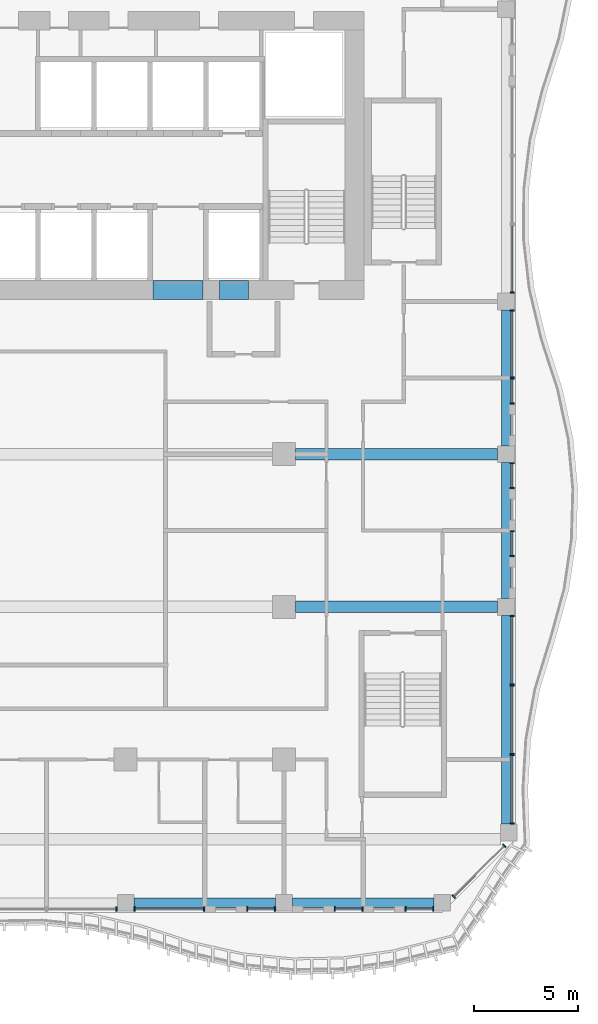
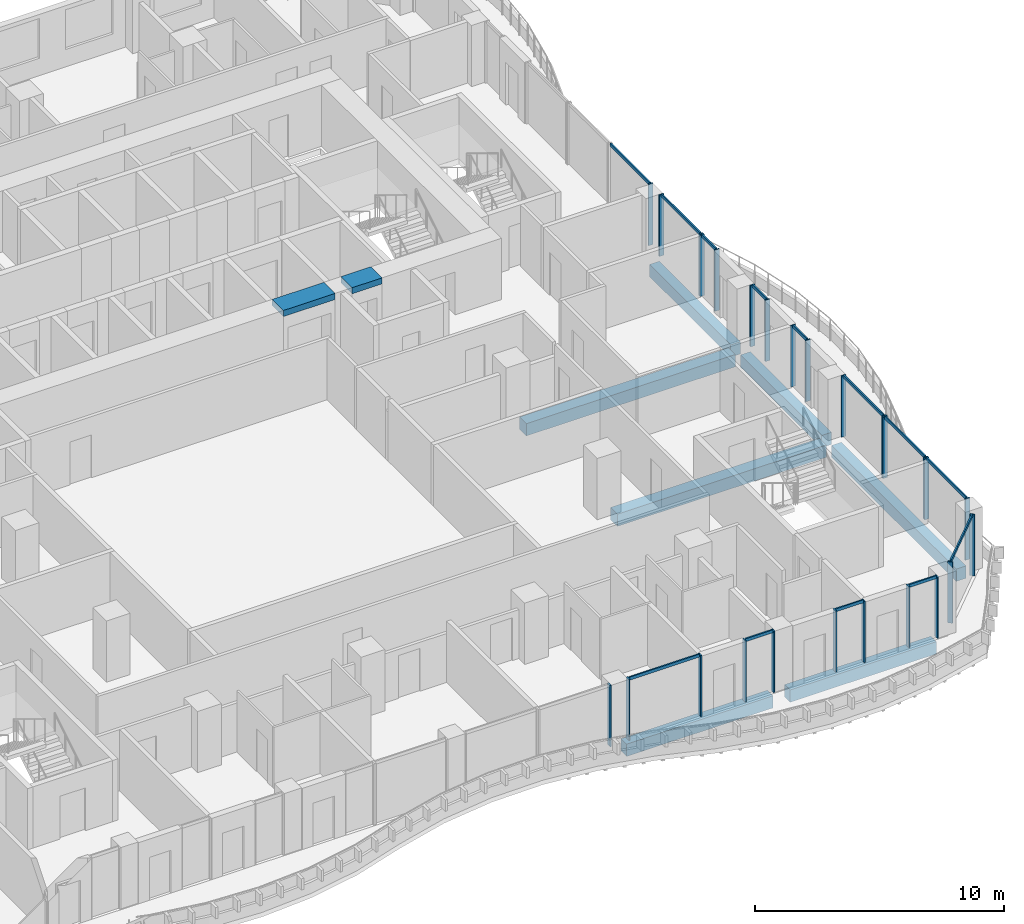
# One storey, part 6 of 23: 39 members, 9 beams, 14 elements without a shape of their own.
"""IFC4 building model written with IfcOpenShell, lengths in metres."""

from ifc_helpers import new_model, si_unit, direction, frame, origin, origin_2d, place, context, subcontext, project, spatial, rectangle, extrude, source, transform, mapped, material, material_profile, profile_set, type_object, element, aggregate, save


model = new_model("IFC4")

# Units and contexts
model_context = context("Model", 3, precision=1e-05, world=origin(), true_north=direction((0.0, 1.0)))
body_context = subcontext(model_context, "Body", "Model", "MODEL_VIEW")
ifc_project = project(units=[si_unit("LENGTHUNIT", "METRE"), si_unit("AREAUNIT", "SQUARE_METRE"), si_unit("VOLUMEUNIT", "CUBIC_METRE"), si_unit("PLANEANGLEUNIT", "RADIAN"), si_unit("MASSUNIT", "GRAM", prefix="KILO")], contexts=[model_context])

# Site, building, storey
site_placement = place(None, origin())
site = spatial("IfcSite", under=ifc_project, at=site_placement, CompositionType="ELEMENT")
building_placement = place(site_placement, origin())
building = spatial("IfcBuilding", under=site, at=building_placement, Name="Kilnfold Tower and Market Hall", CompositionType="ELEMENT")
storey_placement = place(building_placement, frame((0.0, 0.0, 160.89990234375)))
storey = spatial("IfcBuildingStorey", under=building, at=storey_placement, Name="L37", CompositionType="ELEMENT", Elevation=160.89990234375)

# Beams
ifc_material_1 = material(Name="Concrete C45", Category="concrete")
ifc_material_profile_1 = material_profile(ifc_material_1, rectangle(XDim=0.449951171875, YDim=0.60009765625, at=origin_2d()), Name="RC 450x600")
ifc_profile_set_1 = profile_set([ifc_material_profile_1], Name="Concrete C45")
beam_type_1 = type_object("IfcBeamType", Name="EDGE BEAM 450X600 C45", PredefinedType="BEAM", material=ifc_profile_set_1)
shared_shape_1 = source(origin(), body_context, "Body", "SweptSolid", [
    extrude(rectangle(XDim=0.449951171875, YDim=0.60009765625, at=origin_2d()), origin(), (0.0, 0.0, 1.0), 6.783447265625),
])
beam_1_placement = place(storey_placement, frame((14.566650390625, -20.800048828125, -0.579833984375), z_axis=(1.0, 0.0, 0.0), x_axis=(0.0, 1.0, 0.0)))
element("IfcBeam", 1, at=beam_1_placement, inside=storey, type_object=beam_type_1, Name="Beam EB600-B4.81", PredefinedType="BEAM", context=body_context, shape_type="MappedRepresentation", body=[
    mapped(shared_shape_1, transform((0.0, 0.0, 0.0))),
])
shared_shape_2 = source(origin(), body_context, "Body", "SweptSolid", [
    extrude(rectangle(XDim=0.449951171875, YDim=0.60009765625, at=origin_2d()), origin(), (0.0, 0.0, 1.0), 6.783203125),
])
beam_2_placement = place(storey_placement, frame((6.9833984375, -20.800048828125, -0.579833984375), z_axis=(1.0, 0.0, 0.0), x_axis=(0.0, 1.0, 0.0)))
element("IfcBeam", 2, at=beam_2_placement, inside=storey, type_object=beam_type_1, Name="Beam EB600-B4.80", PredefinedType="BEAM", context=body_context, shape_type="MappedRepresentation", body=[
    mapped(shared_shape_2, transform((0.0, 0.0, 0.0))),
])
ifc_material_2 = material(Name="Concrete C45", Category="concrete")
ifc_material_profile_2 = material_profile(ifc_material_2, rectangle(XDim=0.550048828125, YDim=0.60009765625, at=origin_2d()), Name="RC 550x600")
ifc_profile_set_2 = profile_set([ifc_material_profile_2], Name="Concrete C45")
beam_type_2 = type_object("IfcBeamType", Name="BEAM 550X600 C45", PredefinedType="BEAM", material=ifc_profile_set_2)
shared_shape_3 = source(origin(), body_context, "Body", "SweptSolid", [
    extrude(rectangle(XDim=0.550048828125, YDim=0.60009765625, at=origin_2d()), origin(), (0.0, 0.0, 1.0), 9.68310546875),
])
for number, where, z_axis, x_axis, name in (
    (3, (14.716796875, -6.6201171875, -0.579833984375), (1.0, 0.0, 0.0), (0.0, 1.0, 0.0), "Beam BB600-B4.84"),
    (4, (14.716796875, 0.68994140625, -0.579833984375), (1.0, 0.0, 0.0), (0.0, 1.0, 0.0), "Beam BB600-B4.86"),
):
    element("IfcBeam", number, at=place(storey_placement, frame(where, z_axis=z_axis, x_axis=x_axis)), inside=storey, type_object=beam_type_2, Name=name, PredefinedType="BEAM", context=body_context, shape_type="MappedRepresentation", body=[
        mapped(shared_shape_3, transform((0.0, 0.0, 0.0))),
    ])
shared_shape_4 = source(origin(), body_context, "Body", "SweptSolid", [
    extrude(rectangle(XDim=0.449951171875, YDim=0.60009765625, at=origin_2d()), origin(), (0.0, 0.0, 1.0), 6.5126953125),
])
for number, where, z_axis, x_axis, name in (
    (5, (24.800048828125, -6.22509765625, -0.579833984375), (0.0, 1.0, 0.0), (-1.0, 0.0, 0.0), "Beam EB600-B4.101"),
    (6, (24.800048828125, 1.08740234375, -0.579833984375), (0.0, 1.0, 0.0), (-1.0, 0.0, 0.0), "Beam EB600-B4.102"),
):
    element("IfcBeam", number, at=place(storey_placement, frame(where, z_axis=z_axis, x_axis=x_axis)), inside=storey, type_object=beam_type_1, Name=name, PredefinedType="BEAM", context=body_context, shape_type="MappedRepresentation", body=[
        mapped(shared_shape_4, transform((0.0, 0.0, 0.0))),
    ])
shared_shape_5 = source(origin(), body_context, "Body", "SweptSolid", [
    extrude(rectangle(XDim=0.449951171875, YDim=0.60009765625, at=origin_2d()), origin(), (0.0, 0.0, 1.0), 10.0068359375),
])
beam_3_placement = place(storey_placement, frame((24.800048828125, -17.03173828125, -0.579833984375), z_axis=(0.0, 1.0, 0.0), x_axis=(-1.0, 0.0, 0.0)))
element("IfcBeam", 7, at=beam_3_placement, inside=storey, type_object=beam_type_1, Name="Beam EB600-B4.100", PredefinedType="BEAM", context=body_context, shape_type="MappedRepresentation", body=[
    mapped(shared_shape_5, transform((0.0, 0.0, 0.0))),
])
ifc_material_3 = material(Name="Concrete C70", Category="concrete")
ifc_material_profile_3 = material_profile(ifc_material_3, rectangle(XDim=0.89990234375, YDim=0.300048828125, at=origin_2d()), Name="RC 900x300")
ifc_profile_set_3 = profile_set([ifc_material_profile_3], Name="Concrete C70")
beam_type_3 = type_object("IfcBeamType", Name="COUPLING BEAM 900X300 C70", PredefinedType="BEAM", material=ifc_profile_set_3)
shared_shape_6 = source(origin(), body_context, "Body", "SweptSolid", [
    extrude(rectangle(XDim=0.89990234375, YDim=0.300048828125, at=origin_2d()), origin(), (0.0, 0.0, 1.0), 1.39990234375),
])
beam_4_placement = place(storey_placement, frame((11.070068359375, 8.550048828125, 2.85009765625), z_axis=(1.0, 0.0, 0.0), x_axis=(0.0, 1.0, 0.0)))
element("IfcBeam", 8, at=beam_4_placement, inside=storey, type_object=beam_type_3, Name="Coupling beam CB300-70-CORE.40", PredefinedType="BEAM", context=body_context, shape_type="MappedRepresentation", body=[
    mapped(shared_shape_6, transform((0.0, 0.0, 0.0))),
])
shared_shape_7 = source(origin(), body_context, "Body", "SweptSolid", [
    extrude(rectangle(XDim=0.89990234375, YDim=0.300048828125, at=origin_2d()), origin(), (0.0, 0.0, 1.0), 2.400146484375),
])
beam_5_placement = place(storey_placement, frame((7.889892578125, 8.550048828125, 2.85009765625), z_axis=(1.0, 0.0, 0.0), x_axis=(0.0, 1.0, 0.0)))
element("IfcBeam", 9, at=beam_5_placement, inside=storey, type_object=beam_type_3, Name="Coupling beam CB300-70-CORE.39", PredefinedType="BEAM", context=body_context, shape_type="MappedRepresentation", body=[
    mapped(shared_shape_7, transform((0.0, 0.0, 0.0))),
])

# Curtain wall, member
ifc_material_4 = material(Name="Aluminium and double glazing", Category="aluminium")
curtain_wall_type = type_object("IfcCurtainWallType", Name="CW GARDEN HOTEL WINTER GARDEN", PredefinedType="NOTDEFINED", material=ifc_material_4)
curtain_wall_1_placement = place(storey_placement, origin())
curtain_wall_1 = element("IfcCurtainWall", 10, at=curtain_wall_1_placement, inside=storey, type_object=curtain_wall_type, Name="Curtain wall CW5 L37 S", PredefinedType="NOTDEFINED")
ifc_material_5 = material(Name="Aluminium", Category="aluminium")
ifc_material_profile_4 = material_profile(ifc_material_5, rectangle(XDim=0.06494140625, YDim=0.2099609375, at=origin_2d()), Name="MULLION 65x210")
ifc_profile_set_4 = profile_set([ifc_material_profile_4], Name="Aluminium")
member_type_1 = type_object("IfcMemberType", Name="MULLION 65X210", PredefinedType="MULLION", material=ifc_profile_set_4)
shared_shape_8 = source(origin(), body_context, "Body", "SweptSolid", [
    extrude(rectangle(XDim=0.06494140625, YDim=0.2099609375, at=origin_2d()), origin(), (0.0, 0.0, 1.0), 3.0),
])
member_1_placement = place(storey_placement, frame((6.15087890625, -21.10009765625, 0.0), z_axis=(0.0, 0.0, 1.0), x_axis=(1.0, 0.0, 0.0)))
member_1 = element("IfcMember", 11, at=member_1_placement, type_object=member_type_1, Name="CW5 mullion 2", PredefinedType="MULLION", context=body_context, shape_type="MappedRepresentation", body=[
    mapped(shared_shape_8, transform((0.0, 0.0, 0.0))),
])
aggregate(curtain_wall_1, [member_1])

# Curtain wall, members
curtain_wall_2_placement = place(storey_placement, origin())
curtain_wall_2 = element("IfcCurtainWall", 12, at=curtain_wall_2_placement, inside=storey, type_object=curtain_wall_type, Name="Curtain wall CW5 L37 S", PredefinedType="NOTDEFINED")
member_2_placement = place(storey_placement, frame((7.015869140625, -21.10009765625, 0.0), z_axis=(0.0, 0.0, 1.0), x_axis=(1.0, 0.0, 0.0)))
member_2 = element("IfcMember", 13, at=member_2_placement, type_object=member_type_1, Name="CW5 mullion 1", PredefinedType="MULLION", context=body_context, shape_type="MappedRepresentation", body=[
    mapped(shared_shape_8, transform((0.0, 0.0, 0.0))),
])
member_3_placement = place(storey_placement, frame((10.342529296875, -21.10009765625, 0.0), z_axis=(0.0, 0.0, 1.0), x_axis=(1.0, 0.0, 0.0)))
member_3 = element("IfcMember", 14, at=member_3_placement, type_object=member_type_1, Name="CW5 mullion 2", PredefinedType="MULLION", context=body_context, shape_type="MappedRepresentation", body=[
    mapped(shared_shape_8, transform((0.0, 0.0, 0.0))),
])

curtain_wall_3_placement = place(storey_placement, origin())
curtain_wall_3 = element("IfcCurtainWall", 15, at=curtain_wall_3_placement, inside=storey, type_object=curtain_wall_type, Name="Curtain wall CW5 L37 S", PredefinedType="NOTDEFINED")
member_4_placement = place(storey_placement, frame((12.407470703125, -21.10009765625, 0.0), z_axis=(0.0, 0.0, 1.0), x_axis=(1.0, 0.0, 0.0)))
member_4 = element("IfcMember", 16, at=member_4_placement, type_object=member_type_1, Name="CW5 mullion 1", PredefinedType="MULLION", context=body_context, shape_type="MappedRepresentation", body=[
    mapped(shared_shape_8, transform((0.0, 0.0, 0.0))),
])
member_5_placement = place(storey_placement, frame((13.734130859375, -21.10009765625, 0.0), z_axis=(0.0, 0.0, 1.0), x_axis=(1.0, 0.0, 0.0)))
member_5 = element("IfcMember", 17, at=member_5_placement, type_object=member_type_1, Name="CW5 mullion 2", PredefinedType="MULLION", context=body_context, shape_type="MappedRepresentation", body=[
    mapped(shared_shape_8, transform((0.0, 0.0, 0.0))),
])

curtain_wall_4_placement = place(storey_placement, origin())
curtain_wall_4 = element("IfcCurtainWall", 18, at=curtain_wall_4_placement, inside=storey, type_object=curtain_wall_type, Name="Curtain wall CW5 L37 S", PredefinedType="NOTDEFINED")
member_6_placement = place(storey_placement, frame((16.59912109375, -21.10009765625, 0.0), z_axis=(0.0, 0.0, 1.0), x_axis=(1.0, 0.0, 0.0)))
member_6 = element("IfcMember", 19, at=member_6_placement, type_object=member_type_1, Name="CW5 mullion 1", PredefinedType="MULLION", context=body_context, shape_type="MappedRepresentation", body=[
    mapped(shared_shape_8, transform((0.0, 0.0, 0.0))),
])
member_7_placement = place(storey_placement, frame((17.92578125, -21.10009765625, 0.0), z_axis=(0.0, 0.0, 1.0), x_axis=(1.0, 0.0, 0.0)))
member_7 = element("IfcMember", 20, at=member_7_placement, type_object=member_type_1, Name="CW5 mullion 2", PredefinedType="MULLION", context=body_context, shape_type="MappedRepresentation", body=[
    mapped(shared_shape_8, transform((0.0, 0.0, 0.0))),
])

curtain_wall_5_placement = place(storey_placement, origin())
curtain_wall_5 = element("IfcCurtainWall", 21, at=curtain_wall_5_placement, inside=storey, type_object=curtain_wall_type, Name="Curtain wall CW5 L37 S", PredefinedType="NOTDEFINED")
member_8_placement = place(storey_placement, frame((19.99072265625, -21.10009765625, 0.0), z_axis=(0.0, 0.0, 1.0), x_axis=(1.0, 0.0, 0.0)))
member_8 = element("IfcMember", 22, at=member_8_placement, type_object=member_type_1, Name="CW5 mullion 1", PredefinedType="MULLION", context=body_context, shape_type="MappedRepresentation", body=[
    mapped(shared_shape_8, transform((0.0, 0.0, 0.0))),
])
member_9_placement = place(storey_placement, frame((21.3173828125, -21.10009765625, 0.0), z_axis=(0.0, 0.0, 1.0), x_axis=(1.0, 0.0, 0.0)))
member_9 = element("IfcMember", 23, at=member_9_placement, type_object=member_type_1, Name="CW5 mullion 2", PredefinedType="MULLION", context=body_context, shape_type="MappedRepresentation", body=[
    mapped(shared_shape_8, transform((0.0, 0.0, 0.0))),
])

curtain_wall_6_placement = place(storey_placement, origin())
curtain_wall_6 = element("IfcCurtainWall", 24, at=curtain_wall_6_placement, inside=storey, type_object=curtain_wall_type, Name="Curtain wall CW5 L37 SE", PredefinedType="NOTDEFINED")
member_10_placement = place(storey_placement, frame((22.2919921875, -20.495849609375, 0.0), z_axis=(0.0, 0.0, 1.0), x_axis=(0.707121065738, 0.707092496347, 0.0)))
member_10 = element("IfcMember", 25, at=member_10_placement, type_object=member_type_1, Name="CW5 mullion 1", PredefinedType="MULLION", context=body_context, shape_type="MappedRepresentation", body=[
    mapped(shared_shape_8, transform((0.0, 0.0, 0.0))),
])
member_11_placement = place(storey_placement, frame((24.720947265625, -18.06689453125, 0.0), z_axis=(0.0, 0.0, 1.0), x_axis=(0.707121065738, 0.707092496347, 0.0)))
member_11 = element("IfcMember", 26, at=member_11_placement, type_object=member_type_1, Name="CW5 mullion 2", PredefinedType="MULLION", context=body_context, shape_type="MappedRepresentation", body=[
    mapped(shared_shape_8, transform((0.0, 0.0, 0.0))),
])

curtain_wall_7_placement = place(storey_placement, origin())
curtain_wall_7 = element("IfcCurtainWall", 27, at=curtain_wall_7_placement, inside=storey, type_object=curtain_wall_type, Name="Curtain wall CW5 L37 E", PredefinedType="NOTDEFINED")
member_12_placement = place(storey_placement, frame((25.10009765625, -16.999267578125, 0.0), z_axis=(0.0, 0.0, 1.0), x_axis=(0.0, 1.0, 0.0)))
member_12 = element("IfcMember", 28, at=member_12_placement, type_object=member_type_1, Name="CW5 mullion 1", PredefinedType="MULLION", context=body_context, shape_type="MappedRepresentation", body=[
    mapped(shared_shape_8, transform((0.0, 0.0, 0.0))),
])
member_13_placement = place(storey_placement, frame((25.10009765625, -13.728759765625, 0.0), z_axis=(0.0, 0.0, 1.0), x_axis=(0.0, 1.0, 0.0)))
member_13 = element("IfcMember", 29, at=member_13_placement, type_object=member_type_1, Name="CW5 mullion 2", PredefinedType="MULLION", context=body_context, shape_type="MappedRepresentation", body=[
    mapped(shared_shape_8, transform((0.0, 0.0, 0.0))),
])

curtain_wall_8_placement = place(storey_placement, origin())
curtain_wall_8 = element("IfcCurtainWall", 30, at=curtain_wall_8_placement, inside=storey, type_object=curtain_wall_type, Name="Curtain wall CW5 L37 E", PredefinedType="NOTDEFINED")
member_14_placement = place(storey_placement, frame((25.10009765625, -13.663818359375, 0.0), z_axis=(0.0, 0.0, 1.0), x_axis=(0.0, 1.0, 0.0)))
member_14 = element("IfcMember", 31, at=member_14_placement, type_object=member_type_1, Name="CW5 mullion 1", PredefinedType="MULLION", context=body_context, shape_type="MappedRepresentation", body=[
    mapped(shared_shape_8, transform((0.0, 0.0, 0.0))),
])
member_15_placement = place(storey_placement, frame((25.10009765625, -10.39306640625, 0.0), z_axis=(0.0, 0.0, 1.0), x_axis=(0.0, 1.0, 0.0)))
member_15 = element("IfcMember", 32, at=member_15_placement, type_object=member_type_1, Name="CW5 mullion 2", PredefinedType="MULLION", context=body_context, shape_type="MappedRepresentation", body=[
    mapped(shared_shape_8, transform((0.0, 0.0, 0.0))),
])

curtain_wall_9_placement = place(storey_placement, origin())
curtain_wall_9 = element("IfcCurtainWall", 33, at=curtain_wall_9_placement, inside=storey, type_object=curtain_wall_type, Name="Curtain wall CW5 L37 E", PredefinedType="NOTDEFINED")
member_16_placement = place(storey_placement, frame((25.10009765625, -10.328125, 0.0), z_axis=(0.0, 0.0, 1.0), x_axis=(0.0, 1.0, 0.0)))
member_16 = element("IfcMember", 34, at=member_16_placement, type_object=member_type_1, Name="CW5 mullion 1", PredefinedType="MULLION", context=body_context, shape_type="MappedRepresentation", body=[
    mapped(shared_shape_8, transform((0.0, 0.0, 0.0))),
])
member_17_placement = place(storey_placement, frame((25.10009765625, -7.0576171875, 0.0), z_axis=(0.0, 0.0, 1.0), x_axis=(0.0, 1.0, 0.0)))
member_17 = element("IfcMember", 35, at=member_17_placement, type_object=member_type_1, Name="CW5 mullion 2", PredefinedType="MULLION", context=body_context, shape_type="MappedRepresentation", body=[
    mapped(shared_shape_8, transform((0.0, 0.0, 0.0))),
])

curtain_wall_10_placement = place(storey_placement, origin())
curtain_wall_10 = element("IfcCurtainWall", 36, at=curtain_wall_10_placement, inside=storey, type_object=curtain_wall_type, Name="Curtain wall CW5 L37 E", PredefinedType="NOTDEFINED")
member_18_placement = place(storey_placement, frame((25.10009765625, -4.1923828125, 0.0), z_axis=(0.0, 0.0, 1.0), x_axis=(0.0, 1.0, 0.0)))
member_18 = element("IfcMember", 37, at=member_18_placement, type_object=member_type_1, Name="CW5 mullion 1", PredefinedType="MULLION", context=body_context, shape_type="MappedRepresentation", body=[
    mapped(shared_shape_8, transform((0.0, 0.0, 0.0))),
])
member_19_placement = place(storey_placement, frame((25.10009765625, -3.001220703125, 0.0), z_axis=(0.0, 0.0, 1.0), x_axis=(0.0, 1.0, 0.0)))
member_19 = element("IfcMember", 38, at=member_19_placement, type_object=member_type_1, Name="CW5 mullion 2", PredefinedType="MULLION", context=body_context, shape_type="MappedRepresentation", body=[
    mapped(shared_shape_8, transform((0.0, 0.0, 0.0))),
])

curtain_wall_11_placement = place(storey_placement, origin())
curtain_wall_11 = element("IfcCurtainWall", 39, at=curtain_wall_11_placement, inside=storey, type_object=curtain_wall_type, Name="Curtain wall CW5 L37 E", PredefinedType="NOTDEFINED")
member_20_placement = place(storey_placement, frame((25.10009765625, -0.936279296875, 0.0), z_axis=(0.0, 0.0, 1.0), x_axis=(0.0, 1.0, 0.0)))
member_20 = element("IfcMember", 40, at=member_20_placement, type_object=member_type_1, Name="CW5 mullion 1", PredefinedType="MULLION", context=body_context, shape_type="MappedRepresentation", body=[
    mapped(shared_shape_8, transform((0.0, 0.0, 0.0))),
])
member_21_placement = place(storey_placement, frame((25.10009765625, 0.2548828125, 0.0), z_axis=(0.0, 0.0, 1.0), x_axis=(0.0, 1.0, 0.0)))
member_21 = element("IfcMember", 41, at=member_21_placement, type_object=member_type_1, Name="CW5 mullion 2", PredefinedType="MULLION", context=body_context, shape_type="MappedRepresentation", body=[
    mapped(shared_shape_8, transform((0.0, 0.0, 0.0))),
])

curtain_wall_12_placement = place(storey_placement, origin())
curtain_wall_12 = element("IfcCurtainWall", 42, at=curtain_wall_12_placement, inside=storey, type_object=curtain_wall_type, Name="Curtain wall CW5 L37 E", PredefinedType="NOTDEFINED")
member_22_placement = place(storey_placement, frame((25.10009765625, 3.1201171875, 0.0), z_axis=(0.0, 0.0, 1.0), x_axis=(0.0, 1.0, 0.0)))
member_22 = element("IfcMember", 43, at=member_22_placement, type_object=member_type_1, Name="CW5 mullion 1", PredefinedType="MULLION", context=body_context, shape_type="MappedRepresentation", body=[
    mapped(shared_shape_8, transform((0.0, 0.0, 0.0))),
])
member_23_placement = place(storey_placement, frame((25.10009765625, 4.311279296875, 0.0), z_axis=(0.0, 0.0, 1.0), x_axis=(0.0, 1.0, 0.0)))
member_23 = element("IfcMember", 44, at=member_23_placement, type_object=member_type_1, Name="CW5 mullion 2", PredefinedType="MULLION", context=body_context, shape_type="MappedRepresentation", body=[
    mapped(shared_shape_8, transform((0.0, 0.0, 0.0))),
])

curtain_wall_13_placement = place(storey_placement, origin())
curtain_wall_13 = element("IfcCurtainWall", 45, at=curtain_wall_13_placement, inside=storey, type_object=curtain_wall_type, Name="Curtain wall CW5 L37 E", PredefinedType="NOTDEFINED")
member_24_placement = place(storey_placement, frame((25.10009765625, 4.376220703125, 0.0), z_axis=(0.0, 0.0, 1.0), x_axis=(0.0, 1.0, 0.0)))
member_24 = element("IfcMember", 46, at=member_24_placement, type_object=member_type_1, Name="CW5 mullion 1", PredefinedType="MULLION", context=body_context, shape_type="MappedRepresentation", body=[
    mapped(shared_shape_8, transform((0.0, 0.0, 0.0))),
])
member_25_placement = place(storey_placement, frame((25.10009765625, 7.5673828125, 0.0), z_axis=(0.0, 0.0, 1.0), x_axis=(0.0, 1.0, 0.0)))
member_25 = element("IfcMember", 47, at=member_25_placement, type_object=member_type_1, Name="CW5 mullion 2", PredefinedType="MULLION", context=body_context, shape_type="MappedRepresentation", body=[
    mapped(shared_shape_8, transform((0.0, 0.0, 0.0))),
])

# Curtain wall, member
curtain_wall_14_placement = place(storey_placement, origin())
curtain_wall_14 = element("IfcCurtainWall", 48, at=curtain_wall_14_placement, inside=storey, type_object=curtain_wall_type, Name="Curtain wall CW5 L37 E", PredefinedType="NOTDEFINED")
member_26_placement = place(storey_placement, frame((25.10009765625, 8.4326171875, 0.0), z_axis=(0.0, 0.0, 1.0), x_axis=(0.0, 1.0, 0.0)))
member_26 = element("IfcMember", 49, at=member_26_placement, type_object=member_type_1, Name="CW5 mullion 1", PredefinedType="MULLION", context=body_context, shape_type="MappedRepresentation", body=[
    mapped(shared_shape_8, transform((0.0, 0.0, 0.0))),
])

# Member
ifc_material_6 = material(Name="Aluminium", Category="aluminium")
ifc_material_profile_5 = material_profile(ifc_material_6, rectangle(XDim=0.06494140625, YDim=0.14990234375, at=origin_2d()), Name="TRANSOM 65x150")
ifc_profile_set_5 = profile_set([ifc_material_profile_5], Name="Aluminium")
member_type_2 = type_object("IfcMemberType", Name="TRANSOM 65X150", PredefinedType="USERDEFINED", material=ifc_profile_set_5)
shared_shape_9 = source(origin(), body_context, "Body", "SweptSolid", [
    extrude(rectangle(XDim=0.06494140625, YDim=0.14990234375, at=origin_2d()), origin(), (0.0, 0.0, 1.0), 1.26171875),
])
member_27_placement = place(storey_placement, frame((12.43994140625, -21.10009765625, 2.967529296875), z_axis=(1.0, 0.0, 0.0), x_axis=(0.0, 1.0, 0.0)))
member_27 = element("IfcMember", 50, at=member_27_placement, type_object=member_type_2, Name="CW5 transom 1.2", ObjectType="TRANSOM", PredefinedType="USERDEFINED", context=body_context, shape_type="MappedRepresentation", body=[
    mapped(shared_shape_9, transform((0.0, 0.0, 0.0))),
])

aggregate(curtain_wall_3, [member_4, member_5, member_27])

member_28_placement = place(storey_placement, frame((16.631591796875, -21.10009765625, 2.967529296875), z_axis=(1.0, 0.0, 0.0), x_axis=(0.0, 1.0, 0.0)))
member_28 = element("IfcMember", 51, at=member_28_placement, type_object=member_type_2, Name="CW5 transom 1.2", ObjectType="TRANSOM", PredefinedType="USERDEFINED", context=body_context, shape_type="MappedRepresentation", body=[
    mapped(shared_shape_9, transform((0.0, 0.0, 0.0))),
])

aggregate(curtain_wall_4, [member_6, member_7, member_28])

member_29_placement = place(storey_placement, frame((20.023193359375, -21.10009765625, 2.967529296875), z_axis=(1.0, 0.0, 0.0), x_axis=(0.0, 1.0, 0.0)))
member_29 = element("IfcMember", 52, at=member_29_placement, type_object=member_type_2, Name="CW5 transom 1.2", ObjectType="TRANSOM", PredefinedType="USERDEFINED", context=body_context, shape_type="MappedRepresentation", body=[
    mapped(shared_shape_9, transform((0.0, 0.0, 0.0))),
])

aggregate(curtain_wall_5, [member_8, member_9, member_29])

shared_shape_10 = source(origin(), body_context, "Body", "SweptSolid", [
    extrude(rectangle(XDim=0.06494140625, YDim=0.14990234375, at=origin_2d()), origin(), (0.0, 0.0, 1.0), 3.26171875),
])
member_30_placement = place(storey_placement, frame((7.04833984375, -21.10009765625, 2.967529296875), z_axis=(1.0, 0.0, 0.0), x_axis=(0.0, 1.0, 0.0)))
member_30 = element("IfcMember", 53, at=member_30_placement, type_object=member_type_2, Name="CW5 transom 1.2", ObjectType="TRANSOM", PredefinedType="USERDEFINED", context=body_context, shape_type="MappedRepresentation", body=[
    mapped(shared_shape_10, transform((0.0, 0.0, 0.0))),
])

aggregate(curtain_wall_2, [member_2, member_3, member_30])

shared_shape_11 = source(origin(), body_context, "Body", "SweptSolid", [
    extrude(rectangle(XDim=0.06494140625, YDim=0.14990234375, at=origin_2d()), origin(), (0.0, 0.0, 1.0), 3.3701171875),
])
member_31_placement = place(storey_placement, frame((22.31494140625, -20.472900390625, 2.967529296875), z_axis=(0.707106781187, 0.707106781187, 0.0), x_axis=(-0.707106781187, 0.707106781187, 0.0)))
member_31 = element("IfcMember", 54, at=member_31_placement, type_object=member_type_2, Name="CW5 transom 1.2", ObjectType="TRANSOM", PredefinedType="USERDEFINED", context=body_context, shape_type="MappedRepresentation", body=[
    mapped(shared_shape_11, transform((0.0, 0.0, 0.0))),
])

aggregate(curtain_wall_6, [member_10, member_11, member_31])

shared_shape_12 = source(origin(), body_context, "Body", "SweptSolid", [
    extrude(rectangle(XDim=0.06494140625, YDim=0.14990234375, at=origin_2d()), origin(), (0.0, 0.0, 1.0), 3.20556640625),
])
member_32_placement = place(storey_placement, frame((25.10009765625, -16.966796875, 2.967529296875), z_axis=(0.0, 1.0, 0.0), x_axis=(-1.0, 0.0, 0.0)))
member_32 = element("IfcMember", 55, at=member_32_placement, type_object=member_type_2, Name="CW5 transom 1.2", ObjectType="TRANSOM", PredefinedType="USERDEFINED", context=body_context, shape_type="MappedRepresentation", body=[
    mapped(shared_shape_12, transform((0.0, 0.0, 0.0))),
])

aggregate(curtain_wall_7, [member_12, member_13, member_32])

member_33_placement = place(storey_placement, frame((25.10009765625, -13.631103515625, 2.967529296875), z_axis=(0.0, 1.0, 0.0), x_axis=(-1.0, 0.0, 0.0)))
member_33 = element("IfcMember", 56, at=member_33_placement, type_object=member_type_2, Name="CW5 transom 1.2", ObjectType="TRANSOM", PredefinedType="USERDEFINED", context=body_context, shape_type="MappedRepresentation", body=[
    mapped(shared_shape_12, transform((0.0, 0.0, 0.0))),
])

aggregate(curtain_wall_8, [member_14, member_15, member_33])

member_34_placement = place(storey_placement, frame((25.10009765625, -10.295654296875, 2.967529296875), z_axis=(0.0, 1.0, 0.0), x_axis=(-1.0, 0.0, 0.0)))
member_34 = element("IfcMember", 57, at=member_34_placement, type_object=member_type_2, Name="CW5 transom 1.2", ObjectType="TRANSOM", PredefinedType="USERDEFINED", context=body_context, shape_type="MappedRepresentation", body=[
    mapped(shared_shape_12, transform((0.0, 0.0, 0.0))),
])

aggregate(curtain_wall_9, [member_16, member_17, member_34])

shared_shape_13 = source(origin(), body_context, "Body", "SweptSolid", [
    extrude(rectangle(XDim=0.06494140625, YDim=0.14990234375, at=origin_2d()), origin(), (0.0, 0.0, 1.0), 1.126220703125),
])
member_35_placement = place(storey_placement, frame((25.10009765625, -4.159912109375, 2.967529296875), z_axis=(0.0, 1.0, 0.0), x_axis=(-1.0, 0.0, 0.0)))
member_35 = element("IfcMember", 58, at=member_35_placement, type_object=member_type_2, Name="CW5 transom 1.2", ObjectType="TRANSOM", PredefinedType="USERDEFINED", context=body_context, shape_type="MappedRepresentation", body=[
    mapped(shared_shape_13, transform((0.0, 0.0, 0.0))),
])

aggregate(curtain_wall_10, [member_18, member_19, member_35])

member_36_placement = place(storey_placement, frame((25.10009765625, -0.90380859375, 2.967529296875), z_axis=(0.0, 1.0, 0.0), x_axis=(-1.0, 0.0, 0.0)))
member_36 = element("IfcMember", 59, at=member_36_placement, type_object=member_type_2, Name="CW5 transom 1.2", ObjectType="TRANSOM", PredefinedType="USERDEFINED", context=body_context, shape_type="MappedRepresentation", body=[
    mapped(shared_shape_13, transform((0.0, 0.0, 0.0))),
])

aggregate(curtain_wall_11, [member_20, member_21, member_36])

member_37_placement = place(storey_placement, frame((25.10009765625, 3.152587890625, 2.967529296875), z_axis=(0.0, 1.0, 0.0), x_axis=(-1.0, 0.0, 0.0)))
member_37 = element("IfcMember", 60, at=member_37_placement, type_object=member_type_2, Name="CW5 transom 1.2", ObjectType="TRANSOM", PredefinedType="USERDEFINED", context=body_context, shape_type="MappedRepresentation", body=[
    mapped(shared_shape_13, transform((0.0, 0.0, 0.0))),
])

aggregate(curtain_wall_12, [member_22, member_23, member_37])

shared_shape_14 = source(origin(), body_context, "Body", "SweptSolid", [
    extrude(rectangle(XDim=0.06494140625, YDim=0.14990234375, at=origin_2d()), origin(), (0.0, 0.0, 1.0), 3.126220703125),
])
member_38_placement = place(storey_placement, frame((25.10009765625, 4.40869140625, 2.967529296875), z_axis=(0.0, 1.0, 0.0), x_axis=(-1.0, 0.0, 0.0)))
member_38 = element("IfcMember", 61, at=member_38_placement, type_object=member_type_2, Name="CW5 transom 1.2", ObjectType="TRANSOM", PredefinedType="USERDEFINED", context=body_context, shape_type="MappedRepresentation", body=[
    mapped(shared_shape_14, transform((0.0, 0.0, 0.0))),
])

aggregate(curtain_wall_13, [member_24, member_25, member_38])

shared_shape_15 = source(origin(), body_context, "Body", "SweptSolid", [
    extrude(rectangle(XDim=0.06494140625, YDim=0.14990234375, at=origin_2d()), origin(), (0.0, 0.0, 1.0), 3.169921875),
])
member_39_placement = place(storey_placement, frame((25.10009765625, 8.465087890625, 2.967529296875), z_axis=(0.0, 1.0, 0.0), x_axis=(-1.0, 0.0, 0.0)))
member_39 = element("IfcMember", 62, at=member_39_placement, type_object=member_type_2, Name="CW5 transom 1.2", ObjectType="TRANSOM", PredefinedType="USERDEFINED", context=body_context, shape_type="MappedRepresentation", body=[
    mapped(shared_shape_15, transform((0.0, 0.0, 0.0))),
])

aggregate(curtain_wall_14, [member_26, member_39])

save(model, "model.ifc")
